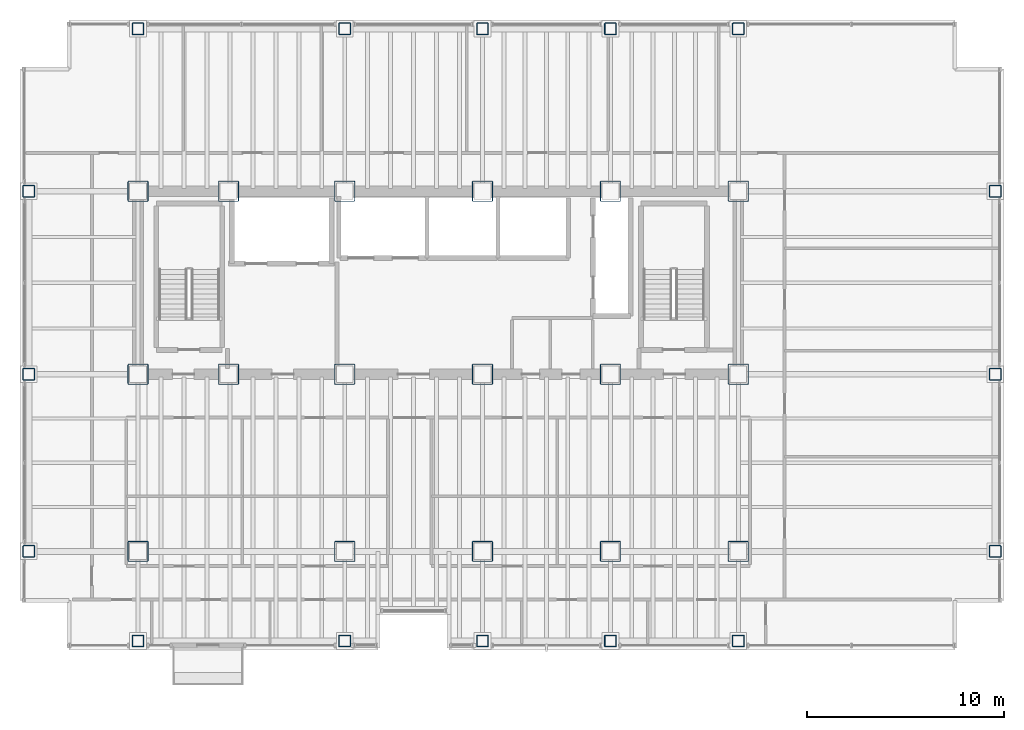
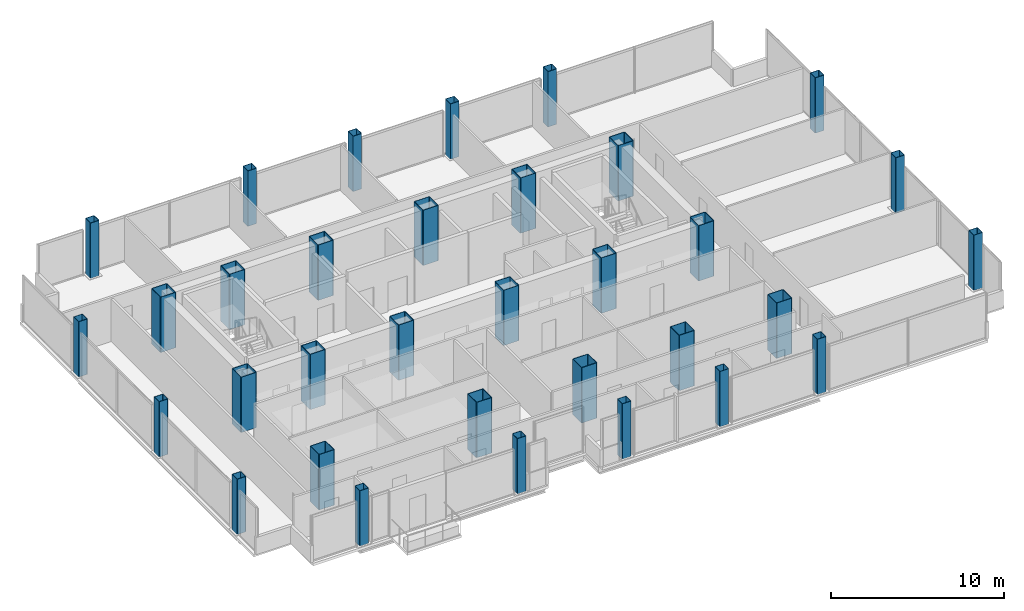
# One storey, part 1 of 20: 33 columns.
"""IFC4 building model written with IfcOpenShell, lengths in metres."""

from ifc_helpers import new_model, si_unit, direction, frame, origin, origin_2d, place, context, subcontext, project, spatial, hollow_rectangle, extrude, material, material_profile, profile_set, type_object, element, save


model = new_model("IFC4")

# Units and contexts
model_context = context("Model", 3, precision=1e-05, world=origin(), true_north=direction((0.0, 1.0)))
body_context = subcontext(model_context, "Body", "Model", "MODEL_VIEW")
ifc_project = project(units=[si_unit("LENGTHUNIT", "METRE"), si_unit("AREAUNIT", "SQUARE_METRE"), si_unit("VOLUMEUNIT", "CUBIC_METRE"), si_unit("PLANEANGLEUNIT", "RADIAN"), si_unit("MASSUNIT", "GRAM", prefix="KILO")], contexts=[model_context])

# Site, building, storey
site_placement = place(None, origin())
site = spatial("IfcSite", under=ifc_project, at=site_placement, CompositionType="ELEMENT")
building_placement = place(site_placement, origin())
building = spatial("IfcBuilding", under=site, at=building_placement, Name="Noeulbin Bourse Tower", CompositionType="ELEMENT")
storey_placement = place(building_placement, frame((0.0, 0.0, 69.39990234375)))
storey = spatial("IfcBuildingStorey", under=building, at=storey_placement, Name="L17", CompositionType="ELEMENT", Elevation=69.39990234375)

# Columns
ifc_material = material(Name="Steel S460", Category="steel")
ifc_material_profile_1 = material_profile(ifc_material, hollow_rectangle(XDim=0.60009765625, YDim=0.60009765625, WallThickness=0.02587890625, InnerFilletRadius=0.012939453125, OuterFilletRadius=0.0390625, at=origin_2d()), Name="BOX-600x600x26", Category="LoadBearing")
ifc_profile_set_1 = profile_set([ifc_material_profile_1], Name="Steel S460")
column_type_1 = type_object("IfcColumnType", Name="COL-PER-Z1", PredefinedType="COLUMN", material=ifc_profile_set_1)
for number, where, z_axis, x_axis, name in (
    (1, (7.949951171875, 20.0, 0.0), (0.0, 0.0, 1.0), (1.0, 0.0, 0.0), "Tower Perimeter Column COL-PER-Z1 01"),
    (2, (7.949951171875, 29.0, 0.0), (0.0, 0.0, 1.0), (1.0, 0.0, 0.0), "Tower Perimeter Column COL-PER-Z1 02"),
    (3, (7.949951171875, 38.300048828125, 0.0), (0.0, 0.0, 1.0), (1.0, 0.0, 0.0), "Tower Perimeter Column COL-PER-Z1 03"),
    (4, (13.5, 15.449951171875, 0.0), (0.0, 0.0, 1.0), (1.0, 0.0, 0.0), "Tower Perimeter Column COL-PER-Z1 04"),
    (5, (13.5, 46.550048828125, 0.0), (0.0, 0.0, 1.0), (1.0, 0.0, 0.0), "Tower Perimeter Column COL-PER-Z1 05"),
    (6, (24.0, 15.449951171875, 0.0), (0.0, 0.0, 1.0), (1.0, 0.0, 0.0), "Tower Perimeter Column COL-PER-Z1 06"),
    (7, (24.0, 46.550048828125, 0.0), (0.0, 0.0, 1.0), (1.0, 0.0, 0.0), "Tower Perimeter Column COL-PER-Z1 07"),
    (8, (31.0, 15.449951171875, 0.0), (0.0, 0.0, 1.0), (1.0, 0.0, 0.0), "Tower Perimeter Column COL-PER-Z1 08"),
    (9, (31.0, 46.550048828125, 0.0), (0.0, 0.0, 1.0), (1.0, 0.0, 0.0), "Tower Perimeter Column COL-PER-Z1 09"),
    (10, (37.5, 15.449951171875, 0.0), (0.0, 0.0, 1.0), (1.0, 0.0, 0.0), "Tower Perimeter Column COL-PER-Z1 10"),
    (11, (37.5, 46.550048828125, 0.0), (0.0, 0.0, 1.0), (1.0, 0.0, 0.0), "Tower Perimeter Column COL-PER-Z1 11"),
    (12, (44.0, 15.449951171875, 0.0), (0.0, 0.0, 1.0), (1.0, 0.0, 0.0), "Tower Perimeter Column COL-PER-Z1 12"),
    (13, (44.0, 46.550048828125, 0.0), (0.0, 0.0, 1.0), (1.0, 0.0, 0.0), "Tower Perimeter Column COL-PER-Z1 13"),
    (14, (57.050048828125, 20.0, 0.0), (0.0, 0.0, 1.0), (1.0, 0.0, 0.0), "Tower Perimeter Column COL-PER-Z1 14"),
    (15, (57.050048828125, 29.0, 0.0), (0.0, 0.0, 1.0), (1.0, 0.0, 0.0), "Tower Perimeter Column COL-PER-Z1 15"),
    (16, (57.050048828125, 38.300048828125, 0.0), (0.0, 0.0, 1.0), (1.0, 0.0, 0.0), "Tower Perimeter Column COL-PER-Z1 16"),
):
    element("IfcColumn", number, at=place(storey_placement, frame(where, z_axis=z_axis, x_axis=x_axis)), inside=storey, type_object=column_type_1, Name=name, PredefinedType="COLUMN", context=body_context, shape_type="SweptSolid", body=[
        extrude(hollow_rectangle(XDim=0.60009765625, YDim=0.60009765625, WallThickness=0.02587890625, InnerFilletRadius=0.012939453125, OuterFilletRadius=0.0390625, at=origin_2d()), origin(), (0.0, 0.0, 1.0), 3.900146484375),
    ])
ifc_material_profile_2 = material_profile(ifc_material, hollow_rectangle(XDim=1.050048828125, YDim=1.050048828125, WallThickness=0.0380859375, InnerFilletRadius=0.01904296875, OuterFilletRadius=0.056884765625, at=origin_2d()), Name="BOX-1050x1050x38", Category="LoadBearing")
ifc_profile_set_2 = profile_set([ifc_material_profile_2], Name="Steel S460")
column_type_2 = type_object("IfcColumnType", Name="COL-TRK-Z1", PredefinedType="COLUMN", material=ifc_profile_set_2)
for number, where, z_axis, x_axis, name in (
    (17, (13.5, 29.0, 0.0), (0.0, 0.0, 1.0), (1.0, 0.0, 0.0), "Tower Trunk Mega-Column COL-TRK-Z1 01"),
    (18, (13.5, 38.300048828125, 0.0), (0.0, 0.0, 1.0), (1.0, 0.0, 0.0), "Tower Trunk Mega-Column COL-TRK-Z1 02"),
    (19, (18.10009765625, 29.0, 0.0), (0.0, 0.0, 1.0), (1.0, 0.0, 0.0), "Tower Trunk Mega-Column COL-TRK-Z1 03"),
    (20, (18.10009765625, 38.300048828125, 0.0), (0.0, 0.0, 1.0), (1.0, 0.0, 0.0), "Tower Trunk Mega-Column COL-TRK-Z1 04"),
    (21, (24.0, 29.0, 0.0), (0.0, 0.0, 1.0), (1.0, 0.0, 0.0), "Tower Trunk Mega-Column COL-TRK-Z1 05"),
    (22, (24.0, 38.300048828125, 0.0), (0.0, 0.0, 1.0), (1.0, 0.0, 0.0), "Tower Trunk Mega-Column COL-TRK-Z1 06"),
    (23, (31.0, 29.0, 0.0), (0.0, 0.0, 1.0), (1.0, 0.0, 0.0), "Tower Trunk Mega-Column COL-TRK-Z1 07"),
    (24, (31.0, 38.300048828125, 0.0), (0.0, 0.0, 1.0), (1.0, 0.0, 0.0), "Tower Trunk Mega-Column COL-TRK-Z1 08"),
    (25, (37.5, 29.0, 0.0), (0.0, 0.0, 1.0), (1.0, 0.0, 0.0), "Tower Trunk Mega-Column COL-TRK-Z1 09"),
    (26, (37.5, 38.300048828125, 0.0), (0.0, 0.0, 1.0), (1.0, 0.0, 0.0), "Tower Trunk Mega-Column COL-TRK-Z1 10"),
    (27, (44.0, 29.0, 0.0), (0.0, 0.0, 1.0), (1.0, 0.0, 0.0), "Tower Trunk Mega-Column COL-TRK-Z1 11"),
    (28, (44.0, 38.300048828125, 0.0), (0.0, 0.0, 1.0), (1.0, 0.0, 0.0), "Tower Trunk Mega-Column COL-TRK-Z1 12"),
    (29, (13.5, 20.0, 0.0), (0.0, 0.0, 1.0), (1.0, 0.0, 0.0), "Tower Trunk Mega-Column COL-TRK-Z1 13"),
    (30, (24.0, 20.0, 0.0), (0.0, 0.0, 1.0), (1.0, 0.0, 0.0), "Tower Trunk Mega-Column COL-TRK-Z1 14"),
    (31, (31.0, 20.0, 0.0), (0.0, 0.0, 1.0), (1.0, 0.0, 0.0), "Tower Trunk Mega-Column COL-TRK-Z1 15"),
    (32, (37.5, 20.0, 0.0), (0.0, 0.0, 1.0), (1.0, 0.0, 0.0), "Tower Trunk Mega-Column COL-TRK-Z1 16"),
    (33, (44.0, 20.0, 0.0), (0.0, 0.0, 1.0), (1.0, 0.0, 0.0), "Tower Trunk Mega-Column COL-TRK-Z1 17"),
):
    element("IfcColumn", number, at=place(storey_placement, frame(where, z_axis=z_axis, x_axis=x_axis)), inside=storey, type_object=column_type_2, Name=name, PredefinedType="COLUMN", context=body_context, shape_type="SweptSolid", body=[
        extrude(hollow_rectangle(XDim=1.050048828125, YDim=1.050048828125, WallThickness=0.0380859375, InnerFilletRadius=0.01904296875, OuterFilletRadius=0.056884765625, at=origin_2d()), origin(), (0.0, 0.0, 1.0), 3.900146484375),
    ])

save(model, "model.ifc")
